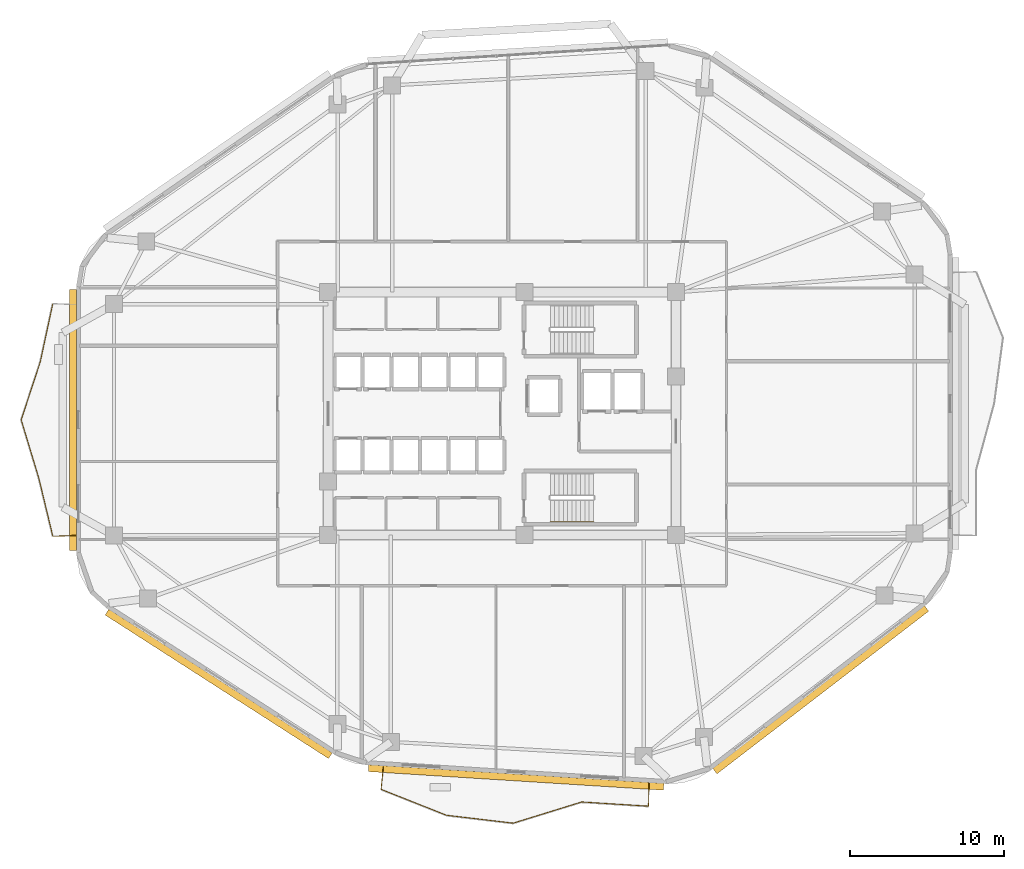
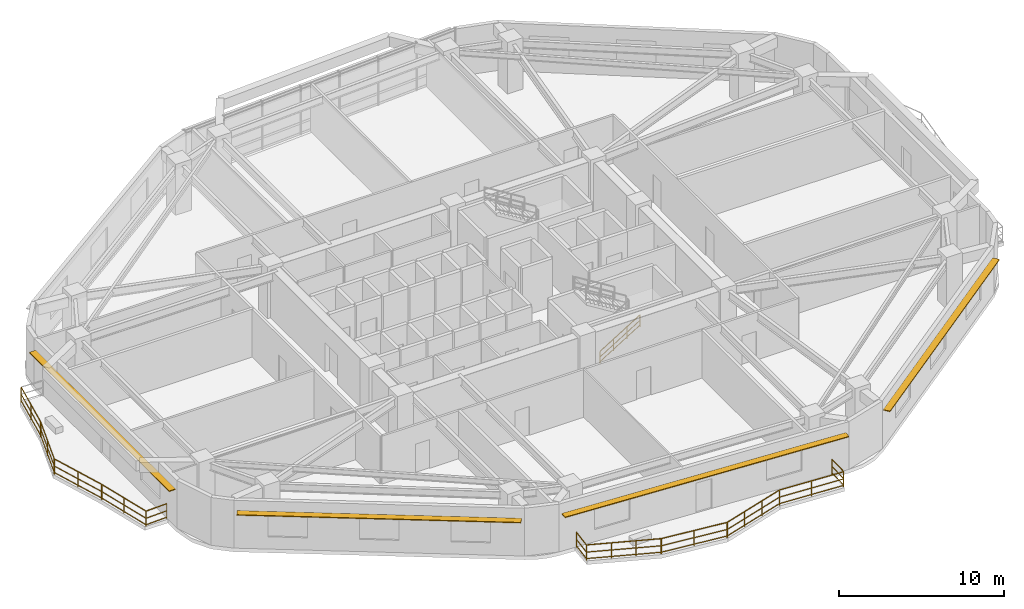
# One storey, part 11 of 13: 12 railings, 4 shading devices.
"""IFC4 building model written with IfcOpenShell, lengths in metres."""

from ifc_helpers import new_model, si_unit, direction, frame, origin, origin_2d, place, context, subcontext, project, spatial, rectangle, extrude, material, layer, layer_set, type_object, element, save


model = new_model("IFC4")

# Units and contexts
model_context = context("Model", 3, precision=1e-05, world=origin(), true_north=direction((0.0, 1.0)))
body_context = subcontext(model_context, "Body", "Model", "MODEL_VIEW")
ifc_project = project(units=[si_unit("LENGTHUNIT", "METRE"), si_unit("AREAUNIT", "SQUARE_METRE"), si_unit("VOLUMEUNIT", "CUBIC_METRE"), si_unit("PLANEANGLEUNIT", "RADIAN"), si_unit("MASSUNIT", "GRAM", prefix="KILO")], contexts=[model_context])

# Site, building, storey
site_placement = place(None, origin())
site = spatial("IfcSite", under=ifc_project, at=site_placement, CompositionType="ELEMENT")
building_placement = place(site_placement, origin())
building = spatial("IfcBuilding", under=site, at=building_placement, Name="Zulverin Broadcast Headquarters", CompositionType="ELEMENT")
storey_placement = place(building_placement, frame((0.0, 0.0, 101.0)))
storey = spatial("IfcBuildingStorey", under=building, at=storey_placement, Name="L25", CompositionType="ELEMENT", Elevation=101.0)

# Railings
ifc_material_1 = material(Name="Brushed stainless steel & laminated glass balustrade", Category="steel")
railing_type_1 = type_object("IfcRailingType", Name="RL-GUARD-1150", PredefinedType="GUARDRAIL", material=ifc_material_1)
railing_1_placement = place(storey_placement, frame((29.3076171875, 2.318603515625, 0.0)))
element("IfcRailing", 1, at=railing_1_placement, inside=storey, type_object=railing_type_1, Name="L25 Vertical-Forest Balcony Guardrail BAL_S Segment 01", PredefinedType="GUARDRAIL", context=body_context, shape_type="SweptSolid", body=[
    extrude(rectangle(XDim=0.048095703125, YDim=0.048095703125, at=origin_2d()), frame((0.0, 0.0, 1.1259765625), z_axis=(-0.103228615139, -0.99465765619, 0.0), x_axis=(0.99465765619, -0.103228615139, 0.0)), (0.0, 0.0, 1.0), 1.46630859375),
    extrude(rectangle(XDim=0.0419921875, YDim=0.0419921875, at=origin_2d()), frame((0.0, 0.0, 0.597900390625), z_axis=(-0.103228615139, -0.99465765619, 0.0), x_axis=(0.99465765619, -0.103228615139, 0.0)), (0.0, 0.0, 1.0), 1.46630859375),
    extrude(rectangle(XDim=0.0419921875, YDim=0.0419921875, at=origin_2d()), frame((0.0, 0.0, 0.1201171875), z_axis=(-0.103228615139, -0.99465765619, 0.0), x_axis=(0.99465765619, -0.103228615139, 0.0)), (0.0, 0.0, 1.0), 1.46630859375),
    extrude(rectangle(XDim=0.0419921875, YDim=0.0419921875, at=origin_2d()), origin(), (0.0, 0.0, 1.0), 1.101806640625),
    extrude(rectangle(XDim=0.0419921875, YDim=0.0419921875, at=origin_2d()), frame((-0.1513671875, -1.45849609375, 0.0)), (0.0, 0.0, 1.0), 1.101806640625),
])
railing_2_placement = place(storey_placement, frame((29.16845703125, 0.839599609375, 0.0)))
element("IfcRailing", 2, at=railing_2_placement, inside=storey, type_object=railing_type_1, Name="L25 Vertical-Forest Balcony Guardrail BAL_S Segment 02", PredefinedType="GUARDRAIL", context=body_context, shape_type="SweptSolid", body=[
    extrude(rectangle(XDim=0.048095703125, YDim=0.048095703125, at=origin_2d()), frame((0.0, 0.0, 1.1259765625), z_axis=(0.929703399222, -0.368309095022, 0.0), x_axis=(0.368309095022, 0.929703399222, 0.0)), (0.0, 0.0, 1.0), 4.5380859375),
    extrude(rectangle(XDim=0.0419921875, YDim=0.0419921875, at=origin_2d()), frame((0.0, 0.0, 0.597900390625), z_axis=(0.929703399222, -0.368309095022, 0.0), x_axis=(0.368309095022, 0.929703399222, 0.0)), (0.0, 0.0, 1.0), 4.5380859375),
    extrude(rectangle(XDim=0.0419921875, YDim=0.0419921875, at=origin_2d()), frame((0.0, 0.0, 0.1201171875), z_axis=(0.929703399222, -0.368309095022, 0.0), x_axis=(0.368309095022, 0.929703399222, 0.0)), (0.0, 0.0, 1.0), 4.5380859375),
    extrude(rectangle(XDim=0.0419921875, YDim=0.0419921875, at=origin_2d()), origin(), (0.0, 0.0, 1.0), 1.101806640625),
    extrude(rectangle(XDim=0.0419921875, YDim=0.0419921875, at=origin_2d()), frame((1.40625, -0.55712890625, 0.0)), (0.0, 0.0, 1.0), 1.101806640625),
    extrude(rectangle(XDim=0.0419921875, YDim=0.0419921875, at=origin_2d()), frame((2.812744140625, -1.1142578125, 0.0)), (0.0, 0.0, 1.0), 1.101806640625),
    extrude(rectangle(XDim=0.0419921875, YDim=0.0419921875, at=origin_2d()), frame((4.218994140625, -1.67138671875, 0.0)), (0.0, 0.0, 1.0), 1.101806640625),
])
railing_3_placement = place(storey_placement, frame((33.416259765625, -0.839111328125, 0.0)))
element("IfcRailing", 3, at=railing_3_placement, inside=storey, type_object=railing_type_1, Name="L25 Vertical-Forest Balcony Guardrail BAL_S Segment 03", PredefinedType="GUARDRAIL", context=body_context, shape_type="SweptSolid", body=[
    extrude(rectangle(XDim=0.048095703125, YDim=0.048095703125, at=origin_2d()), frame((0.0, 0.0, 1.1259765625), z_axis=(0.993075962684, -0.117473964519, 0.0), x_axis=(0.117473964519, 0.993075962684, 0.0)), (0.0, 0.0, 1.0), 4.32080078125),
    extrude(rectangle(XDim=0.0419921875, YDim=0.0419921875, at=origin_2d()), frame((0.0, 0.0, 0.597900390625), z_axis=(0.993075962684, -0.117473964519, 0.0), x_axis=(0.117473964519, 0.993075962684, 0.0)), (0.0, 0.0, 1.0), 4.32080078125),
    extrude(rectangle(XDim=0.0419921875, YDim=0.0419921875, at=origin_2d()), frame((0.0, 0.0, 0.1201171875), z_axis=(0.993075962684, -0.117473964519, 0.0), x_axis=(0.117473964519, 0.993075962684, 0.0)), (0.0, 0.0, 1.0), 4.32080078125),
    extrude(rectangle(XDim=0.0419921875, YDim=0.0419921875, at=origin_2d()), origin(), (0.0, 0.0, 1.0), 1.101806640625),
    extrude(rectangle(XDim=0.0419921875, YDim=0.0419921875, at=origin_2d()), frame((2.1455078125, -0.25390625, 0.0)), (0.0, 0.0, 1.0), 1.101806640625),
    extrude(rectangle(XDim=0.0419921875, YDim=0.0419921875, at=origin_2d()), frame((4.290771484375, -0.507568359375, 0.0)), (0.0, 0.0, 1.0), 1.101806640625),
])
railing_4_placement = place(storey_placement, frame((37.736328125, -1.343994140625, 0.0)))
element("IfcRailing", 4, at=railing_4_placement, inside=storey, type_object=railing_type_1, Name="L25 Vertical-Forest Balcony Guardrail BAL_S Segment 04", PredefinedType="GUARDRAIL", context=body_context, shape_type="SweptSolid", body=[
    extrude(rectangle(XDim=0.048095703125, YDim=0.048095703125, at=origin_2d()), frame((0.0, 0.0, 1.1259765625), z_axis=(0.955333175292, 0.295530919173, 0.0), x_axis=(-0.295530919173, 0.955333175292, 0.0)), (0.0, 0.0, 1.0), 4.6171875),
    extrude(rectangle(XDim=0.0419921875, YDim=0.0419921875, at=origin_2d()), frame((0.0, 0.0, 0.597900390625), z_axis=(0.955333175292, 0.295530919173, 0.0), x_axis=(-0.295530919173, 0.955333175292, 0.0)), (0.0, 0.0, 1.0), 4.6171875),
    extrude(rectangle(XDim=0.0419921875, YDim=0.0419921875, at=origin_2d()), frame((0.0, 0.0, 0.1201171875), z_axis=(0.955333175292, 0.295530919173, 0.0), x_axis=(-0.295530919173, 0.955333175292, 0.0)), (0.0, 0.0, 1.0), 4.6171875),
    extrude(rectangle(XDim=0.0419921875, YDim=0.0419921875, at=origin_2d()), origin(), (0.0, 0.0, 1.0), 1.101806640625),
    extrude(rectangle(XDim=0.0419921875, YDim=0.0419921875, at=origin_2d()), frame((1.47021484375, 0.454833984375, 0.0)), (0.0, 0.0, 1.0), 1.101806640625),
    extrude(rectangle(XDim=0.0419921875, YDim=0.0419921875, at=origin_2d()), frame((2.940673828125, 0.90966796875, 0.0)), (0.0, 0.0, 1.0), 1.101806640625),
    extrude(rectangle(XDim=0.0419921875, YDim=0.0419921875, at=origin_2d()), frame((4.410888671875, 1.364501953125, 0.0)), (0.0, 0.0, 1.0), 1.101806640625),
])
railing_5_placement = place(storey_placement, frame((42.176513671875, 0.02392578125, 0.0)))
element("IfcRailing", 5, at=railing_5_placement, inside=storey, type_object=railing_type_1, Name="L25 Vertical-Forest Balcony Guardrail BAL_S Segment 05", PredefinedType="GUARDRAIL", context=body_context, shape_type="SweptSolid", body=[
    extrude(rectangle(XDim=0.048095703125, YDim=0.048095703125, at=origin_2d()), frame((0.0, 0.0, 1.1259765625), z_axis=(0.998014521316, -0.062984245987, 0.0), x_axis=(0.062984245987, 0.998014521316, 0.0)), (0.0, 0.0, 1.0), 4.314208984375),
    extrude(rectangle(XDim=0.0419921875, YDim=0.0419921875, at=origin_2d()), frame((0.0, 0.0, 0.597900390625), z_axis=(0.998014521316, -0.062984245987, 0.0), x_axis=(0.062984245987, 0.998014521316, 0.0)), (0.0, 0.0, 1.0), 4.314208984375),
    extrude(rectangle(XDim=0.0419921875, YDim=0.0419921875, at=origin_2d()), frame((0.0, 0.0, 0.1201171875), z_axis=(0.998014521316, -0.062984245987, 0.0), x_axis=(0.062984245987, 0.998014521316, 0.0)), (0.0, 0.0, 1.0), 4.314208984375),
    extrude(rectangle(XDim=0.0419921875, YDim=0.0419921875, at=origin_2d()), origin(), (0.0, 0.0, 1.0), 1.101806640625),
    extrude(rectangle(XDim=0.0419921875, YDim=0.0419921875, at=origin_2d()), frame((2.15283203125, -0.1357421875, 0.0)), (0.0, 0.0, 1.0), 1.101806640625),
    extrude(rectangle(XDim=0.0419921875, YDim=0.0419921875, at=origin_2d()), frame((4.3056640625, -0.271728515625, 0.0)), (0.0, 0.0, 1.0), 1.101806640625),
])
railing_6_placement = place(storey_placement, frame((46.497314453125, -0.233642578125, 0.0)))
element("IfcRailing", 6, at=railing_6_placement, inside=storey, type_object=railing_type_1, Name="L25 Vertical-Forest Balcony Guardrail BAL_S Segment 06", PredefinedType="GUARDRAIL", context=body_context, shape_type="SweptSolid", body=[
    extrude(rectangle(XDim=0.048095703125, YDim=0.048095703125, at=origin_2d()), frame((0.0, 0.0, 1.1259765625), z_axis=(0.022641987457, 0.999743637341, 0.0), x_axis=(-0.999743637341, 0.022641987457, 0.0)), (0.0, 0.0, 1.0), 1.466552734375),
    extrude(rectangle(XDim=0.0419921875, YDim=0.0419921875, at=origin_2d()), frame((0.0, 0.0, 0.597900390625), z_axis=(0.022641987457, 0.999743637341, 0.0), x_axis=(-0.999743637341, 0.022641987457, 0.0)), (0.0, 0.0, 1.0), 1.466552734375),
    extrude(rectangle(XDim=0.0419921875, YDim=0.0419921875, at=origin_2d()), frame((0.0, 0.0, 0.1201171875), z_axis=(0.022641987457, 0.999743637341, 0.0), x_axis=(-0.999743637341, 0.022641987457, 0.0)), (0.0, 0.0, 1.0), 1.466552734375),
    extrude(rectangle(XDim=0.0419921875, YDim=0.0419921875, at=origin_2d()), origin(), (0.0, 0.0, 1.0), 1.101806640625),
    extrude(rectangle(XDim=0.0419921875, YDim=0.0419921875, at=origin_2d()), frame((0.033203125, 1.466064453125, 0.0)), (0.0, 0.0, 1.0), 1.101806640625),
])
railing_7_placement = place(storey_placement, frame((7.876708984375, 32.32958984375, 0.0)))
element("IfcRailing", 7, at=railing_7_placement, inside=storey, type_object=railing_type_1, Name="L25 Vertical-Forest Balcony Guardrail BAL_W Segment 02", PredefinedType="GUARDRAIL", context=body_context, shape_type="SweptSolid", body=[
    extrude(rectangle(XDim=0.048095703125, YDim=0.048095703125, at=origin_2d()), frame((0.0, 0.0, 1.1259765625), z_axis=(-0.210225336411, -0.977652958841, 0.0), x_axis=(0.977652958841, -0.210225336411, 0.0)), (0.0, 0.0, 1.0), 3.831298828125),
    extrude(rectangle(XDim=0.0419921875, YDim=0.0419921875, at=origin_2d()), frame((0.0, 0.0, 0.597900390625), z_axis=(-0.210225336411, -0.977652958841, 0.0), x_axis=(0.977652958841, -0.210225336411, 0.0)), (0.0, 0.0, 1.0), 3.831298828125),
    extrude(rectangle(XDim=0.0419921875, YDim=0.0419921875, at=origin_2d()), frame((0.0, 0.0, 0.1201171875), z_axis=(-0.210225336411, -0.977652958841, 0.0), x_axis=(0.977652958841, -0.210225336411, 0.0)), (0.0, 0.0, 1.0), 3.831298828125),
    extrude(rectangle(XDim=0.0419921875, YDim=0.0419921875, at=origin_2d()), origin(), (0.0, 0.0, 1.0), 1.101806640625),
    extrude(rectangle(XDim=0.0419921875, YDim=0.0419921875, at=origin_2d()), frame((-0.40283203125, -1.872802734375, 0.0)), (0.0, 0.0, 1.0), 1.101806640625),
    extrude(rectangle(XDim=0.0419921875, YDim=0.0419921875, at=origin_2d()), frame((-0.805419921875, -3.74560546875, 0.0)), (0.0, 0.0, 1.0), 1.101806640625),
])
railing_8_placement = place(storey_placement, frame((7.063232421875, 28.554931640625, 0.0)))
element("IfcRailing", 8, at=railing_8_placement, inside=storey, type_object=railing_type_1, Name="L25 Vertical-Forest Balcony Guardrail BAL_W Segment 03", PredefinedType="GUARDRAIL", context=body_context, shape_type="SweptSolid", body=[
    extrude(rectangle(XDim=0.048095703125, YDim=0.048095703125, at=origin_2d()), frame((0.0, 0.0, 1.1259765625), z_axis=(-0.311579998623, -0.950219924259, 0.0), x_axis=(0.950219924259, -0.311579998623, 0.0)), (0.0, 0.0, 1.0), 3.94287109375),
    extrude(rectangle(XDim=0.0419921875, YDim=0.0419921875, at=origin_2d()), frame((0.0, 0.0, 0.597900390625), z_axis=(-0.311579998623, -0.950219924259, 0.0), x_axis=(0.950219924259, -0.311579998623, 0.0)), (0.0, 0.0, 1.0), 3.94287109375),
    extrude(rectangle(XDim=0.0419921875, YDim=0.0419921875, at=origin_2d()), frame((0.0, 0.0, 0.1201171875), z_axis=(-0.311579998623, -0.950219924259, 0.0), x_axis=(0.950219924259, -0.311579998623, 0.0)), (0.0, 0.0, 1.0), 3.94287109375),
    extrude(rectangle(XDim=0.0419921875, YDim=0.0419921875, at=origin_2d()), origin(), (0.0, 0.0, 1.0), 1.101806640625),
    extrude(rectangle(XDim=0.0419921875, YDim=0.0419921875, at=origin_2d()), frame((-0.6142578125, -1.873291015625, 0.0)), (0.0, 0.0, 1.0), 1.101806640625),
    extrude(rectangle(XDim=0.0419921875, YDim=0.0419921875, at=origin_2d()), frame((-1.228515625, -3.74658203125, 0.0)), (0.0, 0.0, 1.0), 1.101806640625),
])
railing_9_placement = place(storey_placement, frame((5.834228515625, 24.779541015625, 0.0)))
element("IfcRailing", 9, at=railing_9_placement, inside=storey, type_object=railing_type_1, Name="L25 Vertical-Forest Balcony Guardrail BAL_W Segment 04", PredefinedType="GUARDRAIL", context=body_context, shape_type="SweptSolid", body=[
    extrude(rectangle(XDim=0.048095703125, YDim=0.048095703125, at=origin_2d()), frame((0.0, 0.0, 1.1259765625), z_axis=(0.289378867673, -0.957214642044, 0.0), x_axis=(0.957214642044, 0.289378867673, 0.0)), (0.0, 0.0, 1.0), 3.913818359375),
    extrude(rectangle(XDim=0.0419921875, YDim=0.0419921875, at=origin_2d()), frame((0.0, 0.0, 0.597900390625), z_axis=(0.289378867673, -0.957214642044, 0.0), x_axis=(0.957214642044, 0.289378867673, 0.0)), (0.0, 0.0, 1.0), 3.913818359375),
    extrude(rectangle(XDim=0.0419921875, YDim=0.0419921875, at=origin_2d()), frame((0.0, 0.0, 0.1201171875), z_axis=(0.289378867673, -0.957214642044, 0.0), x_axis=(0.957214642044, 0.289378867673, 0.0)), (0.0, 0.0, 1.0), 3.913818359375),
    extrude(rectangle(XDim=0.0419921875, YDim=0.0419921875, at=origin_2d()), origin(), (0.0, 0.0, 1.0), 1.101806640625),
    extrude(rectangle(XDim=0.0419921875, YDim=0.0419921875, at=origin_2d()), frame((0.56640625, -1.873046875, 0.0)), (0.0, 0.0, 1.0), 1.101806640625),
    extrude(rectangle(XDim=0.0419921875, YDim=0.0419921875, at=origin_2d()), frame((1.132568359375, -3.746337890625, 0.0)), (0.0, 0.0, 1.0), 1.101806640625),
])
railing_10_placement = place(storey_placement, frame((6.974609375, 21.004150390625, 0.0)))
element("IfcRailing", 10, at=railing_10_placement, inside=storey, type_object=railing_type_1, Name="L25 Vertical-Forest Balcony Guardrail BAL_W Segment 05", PredefinedType="GUARDRAIL", context=body_context, shape_type="SweptSolid", body=[
    extrude(rectangle(XDim=0.048095703125, YDim=0.048095703125, at=origin_2d()), frame((0.0, 0.0, 1.1259765625), z_axis=(0.234072694175, -0.972219097653, 0.0), x_axis=(0.972219097653, 0.234072694175, 0.0)), (0.0, 0.0, 1.0), 3.852783203125),
    extrude(rectangle(XDim=0.0419921875, YDim=0.0419921875, at=origin_2d()), frame((0.0, 0.0, 0.597900390625), z_axis=(0.234072694175, -0.972219097653, 0.0), x_axis=(0.972219097653, 0.234072694175, 0.0)), (0.0, 0.0, 1.0), 3.852783203125),
    extrude(rectangle(XDim=0.0419921875, YDim=0.0419921875, at=origin_2d()), frame((0.0, 0.0, 0.1201171875), z_axis=(0.234072694175, -0.972219097653, 0.0), x_axis=(0.972219097653, 0.234072694175, 0.0)), (0.0, 0.0, 1.0), 3.852783203125),
    extrude(rectangle(XDim=0.0419921875, YDim=0.0419921875, at=origin_2d()), origin(), (0.0, 0.0, 1.0), 1.101806640625),
    extrude(rectangle(XDim=0.0419921875, YDim=0.0419921875, at=origin_2d()), frame((0.450927734375, -1.873046875, 0.0)), (0.0, 0.0, 1.0), 1.101806640625),
    extrude(rectangle(XDim=0.0419921875, YDim=0.0419921875, at=origin_2d()), frame((0.90185546875, -3.745849609375, 0.0)), (0.0, 0.0, 1.0), 1.101806640625),
])
railing_11_placement = place(storey_placement, frame((7.89501953125, 17.244140625, 0.0)))
element("IfcRailing", 11, at=railing_11_placement, inside=storey, type_object=railing_type_1, Name="L25 Vertical-Forest Balcony Guardrail BAL_W Segment 06", PredefinedType="GUARDRAIL", context=body_context, shape_type="SweptSolid", body=[
    extrude(rectangle(XDim=0.048095703125, YDim=0.048095703125, at=origin_2d()), frame((0.0, 0.0, 1.1259765625), z_axis=(0.999174410196, 0.040626321628, 0.0), x_axis=(-0.040626321628, 0.999174410196, 0.0)), (0.0, 0.0, 1.0), 1.46630859375),
    extrude(rectangle(XDim=0.0419921875, YDim=0.0419921875, at=origin_2d()), frame((0.0, 0.0, 0.597900390625), z_axis=(0.999174410196, 0.040626321628, 0.0), x_axis=(-0.040626321628, 0.999174410196, 0.0)), (0.0, 0.0, 1.0), 1.46630859375),
    extrude(rectangle(XDim=0.0419921875, YDim=0.0419921875, at=origin_2d()), frame((0.0, 0.0, 0.1201171875), z_axis=(0.999174410196, 0.040626321628, 0.0), x_axis=(-0.040626321628, 0.999174410196, 0.0)), (0.0, 0.0, 1.0), 1.46630859375),
    extrude(rectangle(XDim=0.0419921875, YDim=0.0419921875, at=origin_2d()), origin(), (0.0, 0.0, 1.0), 1.101806640625),
    extrude(rectangle(XDim=0.0419921875, YDim=0.0419921875, at=origin_2d()), frame((1.465087890625, 0.0595703125, 0.0)), (0.0, 0.0, 1.0), 1.101806640625),
])
ifc_material_2 = material(Name="Brushed stainless steel 48 mm handrail", Category="steel")
railing_type_2 = type_object("IfcRailingType", Name="RL-ST-HAND", PredefinedType="HANDRAIL", material=ifc_material_2)
railing_12_placement = place(storey_placement, frame((40.1298828125, 18.199951171875, 0.172607421875)))
element("IfcRailing", 12, at=railing_12_placement, inside=storey, type_object=railing_type_2, Name="L25 ST-2 stair handrail 1", PredefinedType="HANDRAIL", context=body_context, shape_type="SweptSolid", body=[
    extrude(rectangle(XDim=0.048095703125, YDim=0.048095703125, at=origin_2d()), frame((0.0, 0.0, 0.8759765625), z_axis=(0.851089632645, 0.0, 0.525020415988), x_axis=(0.0, 1.0, 0.0)), (0.0, 0.0, 1.0), 3.2900390625),
    extrude(rectangle(XDim=0.0419921875, YDim=0.0419921875, at=origin_2d()), frame((0.0, 0.0, 0.468017578125), z_axis=(0.851089632645, 0.0, 0.525020415988), x_axis=(0.0, 1.0, 0.0)), (0.0, 0.0, 1.0), 3.2900390625),
    extrude(rectangle(XDim=0.0419921875, YDim=0.0419921875, at=origin_2d()), frame((0.0, 0.0, 0.1201171875), z_axis=(0.851089632645, 0.0, 0.525020415988), x_axis=(0.0, 1.0, 0.0)), (0.0, 0.0, 1.0), 3.2900390625),
    extrude(rectangle(XDim=0.0419921875, YDim=0.0419921875, at=origin_2d()), origin(), (0.0, 0.0, 1.0), 0.851806640625),
    extrude(rectangle(XDim=0.0419921875, YDim=0.0419921875, at=origin_2d()), frame((0.933349609375, 0.0, 0.57568359375)), (0.0, 0.0, 1.0), 0.851806640625),
    extrude(rectangle(XDim=0.0419921875, YDim=0.0419921875, at=origin_2d()), frame((1.86669921875, 0.0, 1.151611328125)), (0.0, 0.0, 1.0), 0.851806640625),
    extrude(rectangle(XDim=0.0419921875, YDim=0.0419921875, at=origin_2d()), frame((2.800048828125, 0.0, 1.727294921875)), (0.0, 0.0, 1.0), 0.851806640625),
])

# Shading devices
ifc_material_3 = material(Name="Anodized pale-metal aluminium sunshade", Category="aluminium")
ifc_layer = layer(ifc_material_3, 0.06005859375, Name="Anodized pale-metal aluminium sunshade", Category="aluminium")
ifc_layer_set = layer_set([ifc_layer], Name="Anodized pale-metal aluminium sunshade")
shading_device_type = type_object("IfcShadingDeviceType", Name="SS-01_PALE_METAL_ALUMINIUM_SUNSHADE", PredefinedType="USERDEFINED", material=ifc_layer_set)
shading_device_1_placement = place(storey_placement, frame((37.908935546875, 1.61572265625, 2.7099609375), z_axis=(0.0, 0.0, 1.0), x_axis=(0.998017182581, -0.062942062821, 0.0)))
element("IfcShadingDevice", 13, at=shading_device_1_placement, inside=storey, type_object=shading_device_type, Name="L25 Horizontal Pale-Metal Sunshade Band 1", ObjectType="SUNSHADE", PredefinedType="USERDEFINED", context=body_context, shape_type="SweptSolid", body=[
    extrude(rectangle(XDim=19.177001953125, YDim=0.449951171875, at=origin_2d()), origin(), (0.0, 0.0, 1.0), 0.06005859375),
])
shading_device_2_placement = place(storey_placement, frame((57.658447265625, 7.29833984375, 2.7099609375), z_axis=(0.0, 0.0, 1.0), x_axis=(0.792933468586, 0.609308226102, 0.0)))
element("IfcShadingDevice", 14, at=shading_device_2_placement, inside=storey, type_object=shading_device_type, Name="L25 Horizontal Pale-Metal Sunshade Band 2", ObjectType="SUNSHADE", PredefinedType="USERDEFINED", context=body_context, shape_type="SweptSolid", body=[
    extrude(rectangle(XDim=17.312744140625, YDim=0.449951171875, at=origin_2d()), origin(), (0.0, 0.0, 1.0), 0.06005859375),
])
shading_device_3_placement = place(storey_placement, frame((9.199951171875, 24.7939453125, 2.7099609375), z_axis=(0.0, 0.0, 1.0), x_axis=(0.0, -1.0, 0.0)))
element("IfcShadingDevice", 15, at=shading_device_3_placement, inside=storey, type_object=shading_device_type, Name="L25 Horizontal Pale-Metal Sunshade Band 7", ObjectType="SUNSHADE", PredefinedType="USERDEFINED", context=body_context, shape_type="SweptSolid", body=[
    extrude(rectangle(XDim=16.90087890625, YDim=0.449951171875, at=origin_2d()), origin(), (0.0, 0.0, 1.0), 0.06005859375),
])
shading_device_4_placement = place(storey_placement, frame((18.6298828125, 7.681640625, 2.7099609375), z_axis=(0.0, 0.0, 1.0), x_axis=(0.841296678234, -0.540573676007, 0.0)))
element("IfcShadingDevice", 16, at=shading_device_4_placement, inside=storey, type_object=shading_device_type, Name="L25 Horizontal Pale-Metal Sunshade Band 8", ObjectType="SUNSHADE", PredefinedType="USERDEFINED", context=body_context, shape_type="SweptSolid", body=[
    extrude(rectangle(XDim=17.2119140625, YDim=0.449951171875, at=origin_2d()), origin(), (0.0, 0.0, 1.0), 0.06005859375),
])

save(model, "model.ifc")
